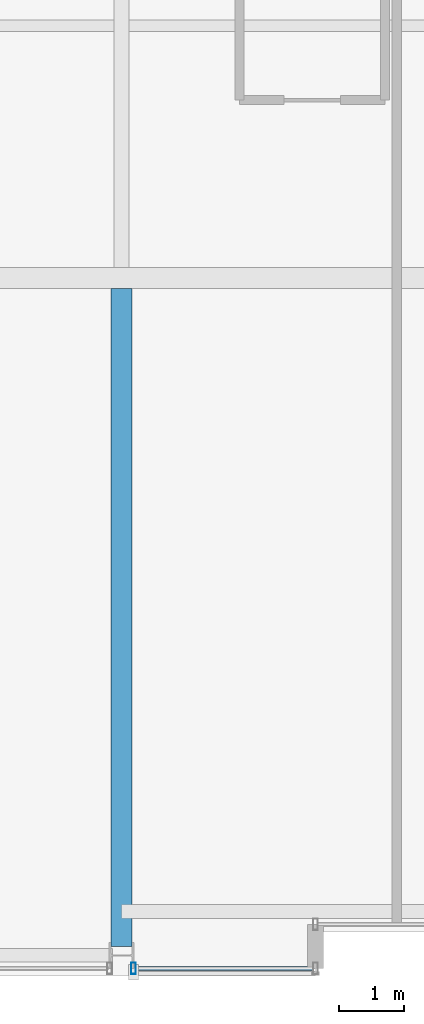
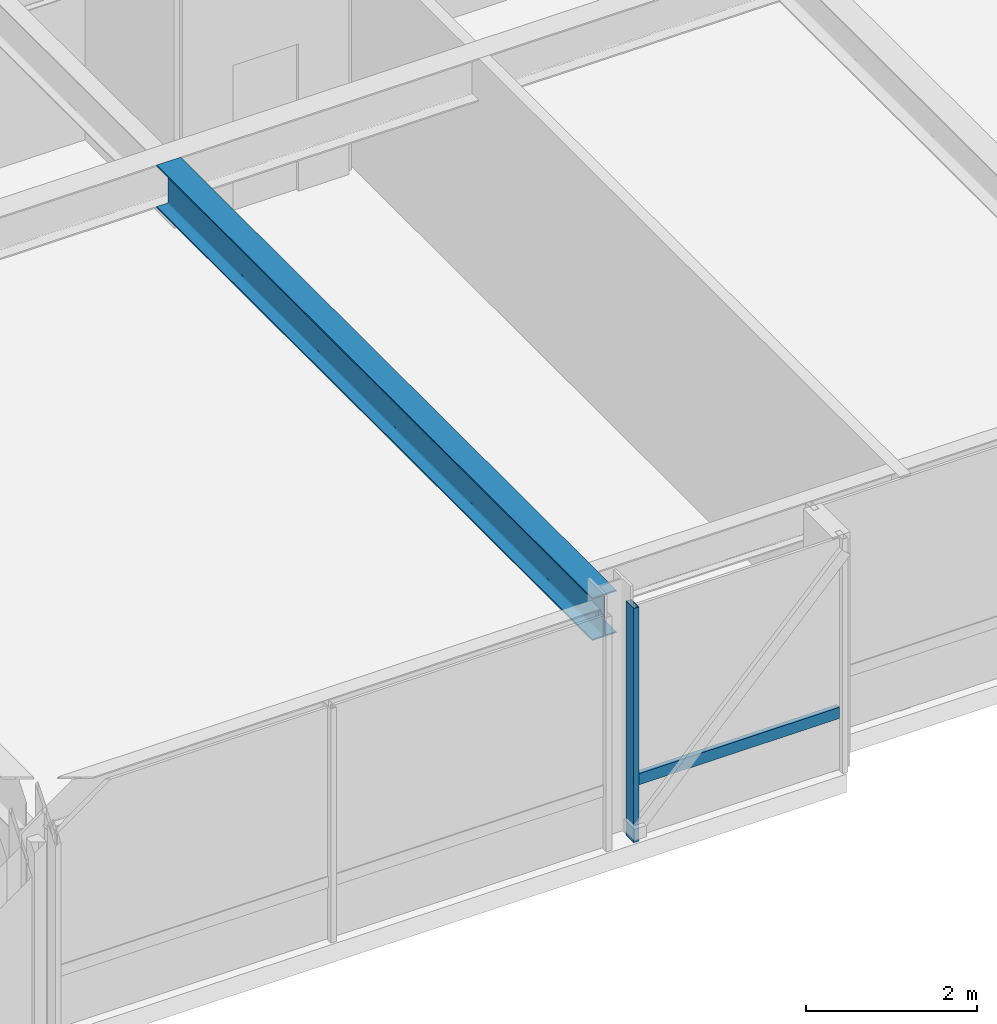
# One storey, part 3 of 32: 2 members, 1 beam, 1 element without a shape of its own.
"""IFC4 building model written with IfcOpenShell, lengths in metres."""

from ifc_helpers import new_model, si_unit, direction, frame, origin, origin_2d, place, context, subcontext, project, spatial, hollow_rectangle, i_section, extrude, material, layer, layer_set, material_profile, profile_set, type_object, element, aggregate, save


model = new_model("IFC4")

# Units and contexts
model_context = context("Model", 3, precision=1e-05, world=origin(), true_north=direction((0.0, 1.0)))
body_context = subcontext(model_context, "Body", "Model", "MODEL_VIEW")
ifc_project = project(units=[si_unit("LENGTHUNIT", "METRE"), si_unit("AREAUNIT", "SQUARE_METRE"), si_unit("VOLUMEUNIT", "CUBIC_METRE"), si_unit("PLANEANGLEUNIT", "RADIAN"), si_unit("MASSUNIT", "GRAM", prefix="KILO")], contexts=[model_context])

# Site, building, storey
site_placement = place(None, origin())
site = spatial("IfcSite", under=ifc_project, at=site_placement, CompositionType="ELEMENT")
building_placement = place(site_placement, origin())
building = spatial("IfcBuilding", under=site, at=building_placement, Name="Drelvath Grand Hotel", CompositionType="ELEMENT")
storey_placement = place(building_placement, frame((0.0, 0.0, 223.10009765625)))
storey = spatial("IfcBuildingStorey", under=building, at=storey_placement, Name="L58", CompositionType="ELEMENT", Elevation=223.10009765625)

# Curtain wall, members
ifc_material_1 = material(Name="Platinum-Mist Anodised Aluminium Frame", Category="aluminium")
ifc_layer = layer(ifc_material_1, 0.199951171875)
ifc_layer_set = layer_set([ifc_layer], Name="Platinum-Mist Anodised Aluminium Frame")
curtain_wall_type = type_object("IfcCurtainWallType", Name="Stick Curtain Wall CW-05 Platinum Mist High-Rise", PredefinedType="NOTDEFINED", material=ifc_layer_set)
curtain_wall_placement = place(storey_placement, origin())
curtain_wall = element("IfcCurtainWall", 1, at=curtain_wall_placement, inside=storey, type_object=curtain_wall_type, Name="L58 CW-05 Curtain Wall CW05-L58-SW3", PredefinedType="NOTDEFINED")
ifc_material_profile_1 = material_profile(ifc_material_1, hollow_rectangle(XDim=0.06494140625, YDim=0.159912109375, WallThickness=0.00390625, at=origin_2d()), Name="HSS160X65X4")
ifc_profile_set_1 = profile_set([ifc_material_profile_1], Name="Platinum-Mist Anodised Aluminium Frame")
member_type_1 = type_object("IfcMemberType", Name="Curtain Wall Horizontal Transom CW-05 HSS160X65X4", PredefinedType="USERDEFINED", material=ifc_profile_set_1)
member_1_placement = place(storey_placement, frame((-5.43994140625, 0.1201171875, 0.8349609375), z_axis=(-1.0, 0.0, 0.0), x_axis=(0.0, -1.0, 0.0)))
member_1 = element("IfcMember", 2, at=member_1_placement, type_object=member_type_1, Name="CW05-L58-SW3 Sill Transom", ObjectType="TRANSOM", PredefinedType="USERDEFINED", context=body_context, shape_type="SweptSolid", body=[
    extrude(hollow_rectangle(XDim=0.06494140625, YDim=0.159912109375, WallThickness=0.00390625, at=origin_2d()), origin(), (0.0, 0.0, 1.0), 2.73486328125),
])
ifc_material_profile_2 = material_profile(ifc_material_1, hollow_rectangle(XDim=0.074951171875, YDim=0.179931640625, WallThickness=0.0048828125, at=origin_2d()), Name="HSS180X75X5")
ifc_profile_set_2 = profile_set([ifc_material_profile_2], Name="Platinum-Mist Anodised Aluminium Frame")
member_type_2 = type_object("IfcMemberType", Name="Curtain Wall Vertical Mullion CW-05 HSS180X75X5", PredefinedType="MULLION", material=ifc_profile_set_2)
member_2_placement = place(storey_placement, frame((-8.214599609375, 0.1201171875, 0.0), z_axis=(0.0, 0.0, 1.0), x_axis=(1.0, 0.0, 0.0)))
member_2 = element("IfcMember", 3, at=member_2_placement, type_object=member_type_2, Name="CW05-L58-SW3 Mullion 2", PredefinedType="MULLION", context=body_context, shape_type="SweptSolid", body=[
    extrude(hollow_rectangle(XDim=0.074951171875, YDim=0.179931640625, WallThickness=0.0048828125, at=origin_2d()), origin(), (0.0, 0.0, 1.0), 3.33984375),
])
aggregate(curtain_wall, [member_2, member_1])

# Beam
ifc_material_2 = material(Name="Steel ASTM A992 Gr 50", Category="steel")
ifc_material_profile_3 = material_profile(ifc_material_2, i_section(OverallWidth=0.323974609375, OverallDepth=0.611083984375, WebThickness=0.0126953125, FlangeThickness=0.01904296875, FilletRadius=0.02197265625, at=origin_2d()), Name="W24X104")
ifc_profile_set_3 = profile_set([ifc_material_profile_3], Name="Steel ASTM A992 Gr 50")
beam_type = type_object("IfcBeamType", Name="Primary Floor Girder W24X104", PredefinedType="BEAM", material=ifc_profile_set_3)
beam_placement = place(storey_placement, frame((-8.39990234375, 0.4599609375, 3.034423828125), z_axis=(0.0, 1.0, 0.0), x_axis=(-1.0, 0.0, 0.0)))
element("IfcBeam", 4, at=beam_placement, inside=storey, type_object=beam_type, Name="L58 South Wing Girder 4", PredefinedType="BEAM", context=body_context, shape_type="SweptSolid", body=[
    extrude(i_section(OverallWidth=0.323974609375, OverallDepth=0.611083984375, WebThickness=0.0126953125, FlangeThickness=0.01904296875, FilletRadius=0.02197265625, at=origin_2d()), origin(), (0.0, 0.0, 1.0), 10.177978515625),
])

save(model, "model.ifc")
